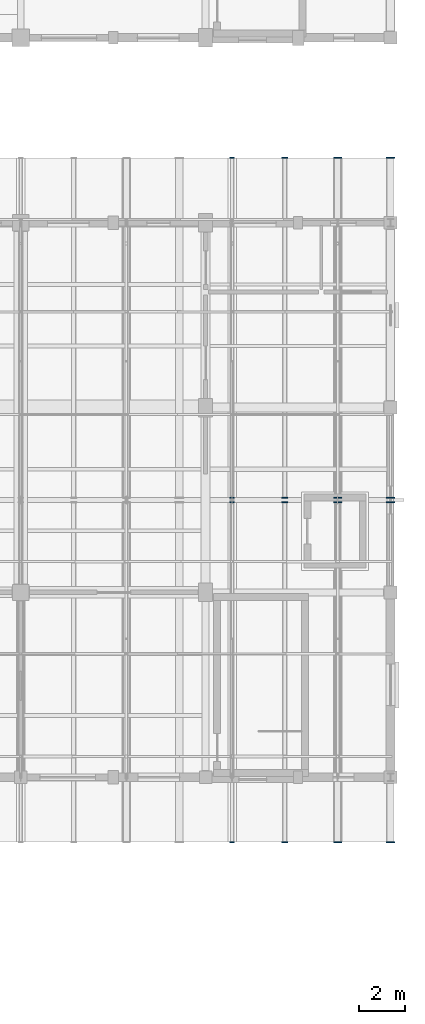
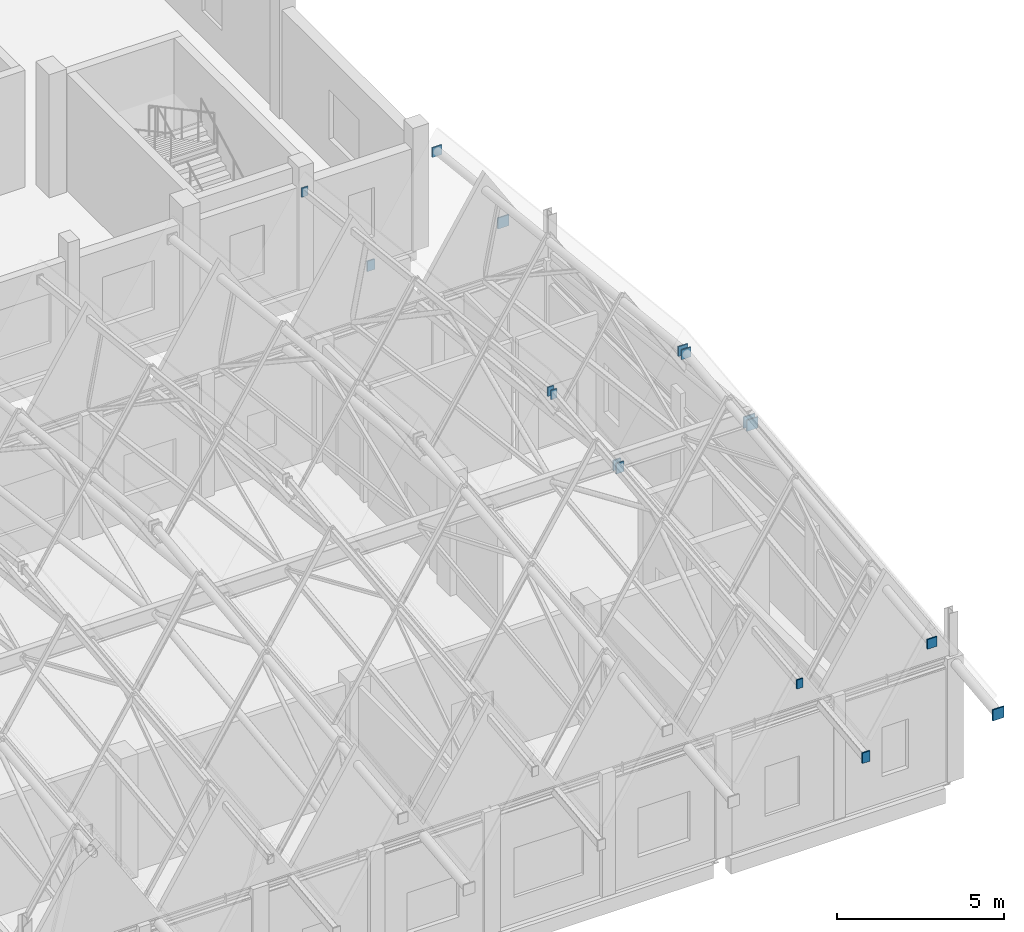
# One storey, part 64 of 77: 16 discrete accessories.
"""IFC4 building model written with IfcOpenShell, lengths in metres."""

from ifc_helpers import new_model, si_unit, direction, frame, origin, origin_2d, place, context, subcontext, project, spatial, rectangle, extrude, material, type_object, element, save


model = new_model("IFC4")

# Units and contexts
model_context = context("Model", 3, precision=1e-05, world=origin(), true_north=direction((0.0, 1.0)))
body_context = subcontext(model_context, "Body", "Model", "MODEL_VIEW")
ifc_project = project(units=[si_unit("LENGTHUNIT", "METRE"), si_unit("AREAUNIT", "SQUARE_METRE"), si_unit("VOLUMEUNIT", "CUBIC_METRE"), si_unit("PLANEANGLEUNIT", "RADIAN"), si_unit("MASSUNIT", "GRAM", prefix="KILO")], contexts=[model_context])

# Site, building, storey
site_placement = place(None, origin())
site = spatial("IfcSite", under=ifc_project, at=site_placement, CompositionType="ELEMENT")
building_placement = place(site_placement, origin())
building = spatial("IfcBuilding", under=site, at=building_placement, Name="Luwemba Playhouse", CompositionType="ELEMENT")
storey_placement = place(building_placement, frame((0.0, 0.0, 9.300048828125)))
storey = spatial("IfcBuildingStorey", under=building, at=storey_placement, Name="L02", CompositionType="ELEMENT", Elevation=9.300048828125)

# Discrete accessories
ifc_material = material(Name="Steel S355", Category="steel")
discrete_accessory_type = type_object("IfcDiscreteAccessoryType", Name="ACC-ENDCAP-S355", PredefinedType="BRACKET", material=ifc_material)
for number, where, z_axis, x_axis, name in (
    (1, (165.142822265625, 33.18505859375, 7.31640625), (0.0, 0.0, 1.0), (1.0, 0.0, 0.0), "Welded RHS end cap plate 0241"),
    (2, (165.142822265625, 47.90478515625, 8.967529296875), (0.0, 0.0, 1.0), (1.0, 0.0, 0.0), "Welded RHS end cap plate 0242"),
    (3, (165.142822265625, 48.09521484375, 8.967529296875), (0.0, 0.0, 1.0), (1.0, 0.0, 0.0), "Welded RHS end cap plate 0243"),
    (4, (165.142822265625, 62.81494140625, 7.31640625), (0.0, 0.0, 1.0), (1.0, 0.0, 0.0), "Welded RHS end cap plate 0244"),
):
    element("IfcDiscreteAccessory", number, at=place(storey_placement, frame(where, z_axis=z_axis, x_axis=x_axis)), inside=storey, type_object=discrete_accessory_type, Name=name, PredefinedType="BRACKET", context=body_context, shape_type="SweptSolid", body=[
        extrude(rectangle(XDim=0.2099609375, YDim=0.044921875, at=origin_2d()), origin(), (0.0, 0.0, 1.0), 0.330078125),
    ])
for number, where, z_axis, x_axis, name in (
    (5, (167.4287109375, 33.18505859375, 3.806396484375), (0.0, 0.0, 1.0), (1.0, 0.0, 0.0), "Welded RHS end cap plate 0245"),
    (6, (167.4287109375, 47.90478515625, 5.45751953125), (0.0, 0.0, 1.0), (1.0, 0.0, 0.0), "Welded RHS end cap plate 0246"),
    (7, (167.4287109375, 48.09521484375, 5.45751953125), (0.0, 0.0, 1.0), (1.0, 0.0, 0.0), "Welded RHS end cap plate 0247"),
    (8, (167.4287109375, 62.81494140625, 3.806396484375), (0.0, 0.0, 1.0), (1.0, 0.0, 0.0), "Welded RHS end cap plate 0248"),
):
    element("IfcDiscreteAccessory", number, at=place(storey_placement, frame(where, z_axis=z_axis, x_axis=x_axis)), inside=storey, type_object=discrete_accessory_type, Name=name, PredefinedType="BRACKET", context=body_context, shape_type="SweptSolid", body=[
        extrude(rectangle(XDim=0.260009765625, YDim=0.044921875, at=origin_2d()), origin(), (0.0, 0.0, 1.0), 0.3798828125),
    ])
for number, where, z_axis, x_axis, name in (
    (9, (169.71435546875, 33.18505859375, 7.195068359375), (0.0, 0.0, 1.0), (1.0, 0.0, 0.0), "Welded RHS end cap plate 0249"),
    (10, (169.71435546875, 47.90478515625, 8.84619140625), (0.0, 0.0, 1.0), (1.0, 0.0, 0.0), "Welded RHS end cap plate 0250"),
    (11, (169.71435546875, 48.09521484375, 8.84619140625), (0.0, 0.0, 1.0), (1.0, 0.0, 0.0), "Welded RHS end cap plate 0251"),
    (12, (169.71435546875, 62.81494140625, 7.195068359375), (0.0, 0.0, 1.0), (1.0, 0.0, 0.0), "Welded RHS end cap plate 0252"),
):
    element("IfcDiscreteAccessory", number, at=place(storey_placement, frame(where, z_axis=z_axis, x_axis=x_axis)), inside=storey, type_object=discrete_accessory_type, Name=name, PredefinedType="BRACKET", context=body_context, shape_type="SweptSolid", body=[
        extrude(rectangle(XDim=0.3330078125, YDim=0.044921875, at=origin_2d()), origin(), (0.0, 0.0, 1.0), 0.35302734375),
    ])
for number, where, z_axis, x_axis, name in (
    (13, (172.0, 33.18505859375, 3.7822265625), (0.0, 0.0, 1.0), (1.0, 0.0, 0.0), "Welded RHS end cap plate 0253"),
    (14, (172.0, 47.90478515625, 5.43359375), (0.0, 0.0, 1.0), (1.0, 0.0, 0.0), "Welded RHS end cap plate 0254"),
    (15, (172.0, 48.09521484375, 5.43359375), (0.0, 0.0, 1.0), (1.0, 0.0, 0.0), "Welded RHS end cap plate 0255"),
    (16, (172.0, 62.81494140625, 3.7822265625), (0.0, 0.0, 1.0), (1.0, 0.0, 0.0), "Welded RHS end cap plate 0256"),
):
    element("IfcDiscreteAccessory", number, at=place(storey_placement, frame(where, z_axis=z_axis, x_axis=x_axis)), inside=storey, type_object=discrete_accessory_type, Name=name, PredefinedType="BRACKET", context=body_context, shape_type="SweptSolid", body=[
        extrude(rectangle(XDim=0.384033203125, YDim=0.044921875, at=origin_2d()), origin(), (0.0, 0.0, 1.0), 0.404052734375),
    ])

save(model, "model.ifc")
